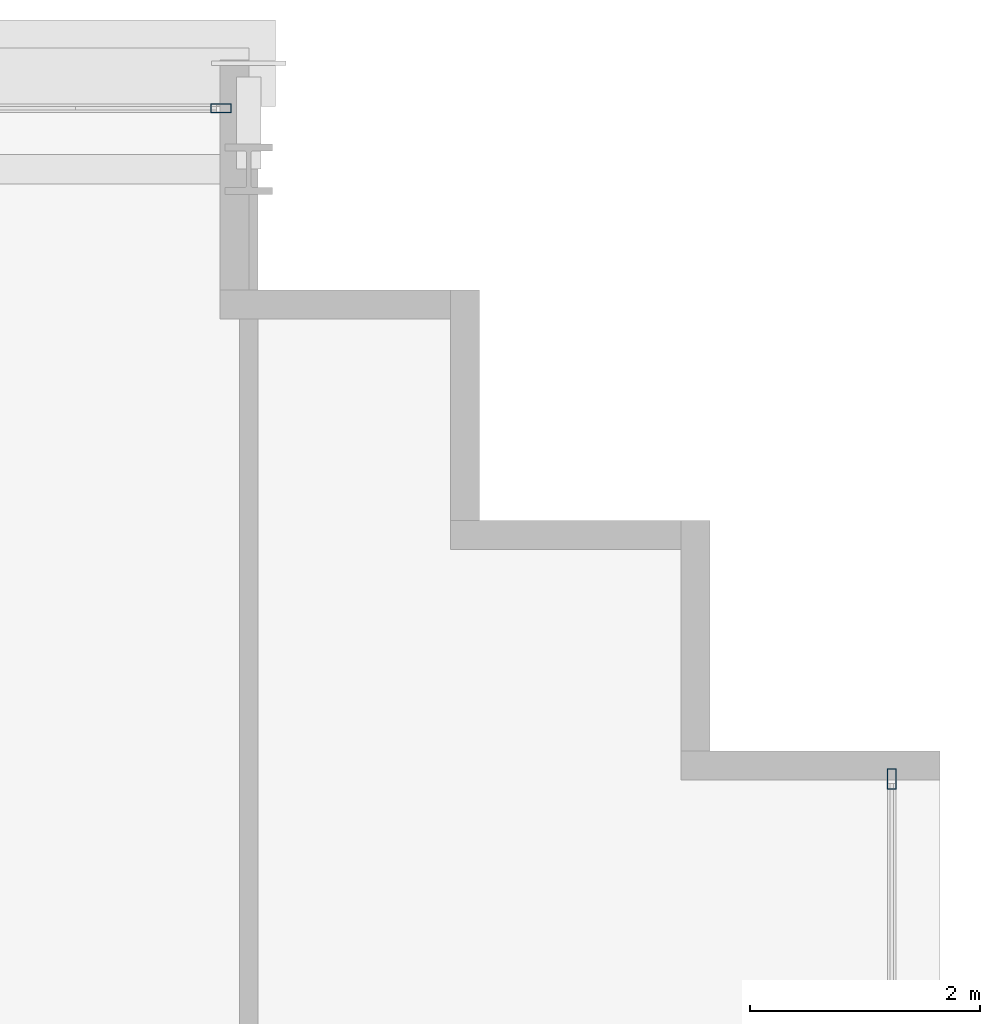
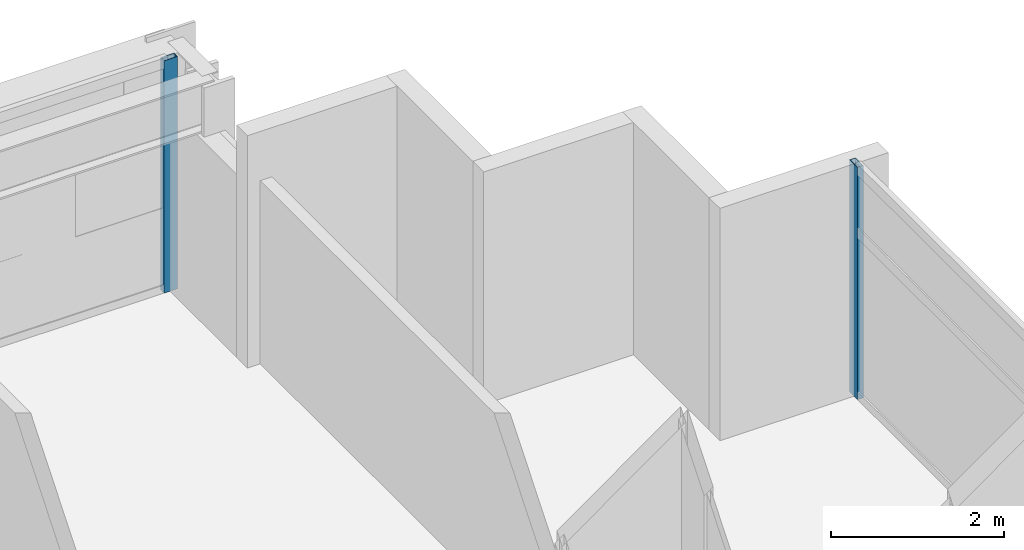
# One storey, part 22 of 36: 2 members, 2 elements without a shape of their own.
"""IFC4 building model written with IfcOpenShell, lengths in metres."""

from ifc_helpers import new_model, si_unit, direction, frame, origin, origin_2d, place, context, subcontext, project, spatial, hollow_rectangle, extrude, source, transform, mapped, material, layer, layer_set, material_profile, profile_set, type_object, element, aggregate, save


model = new_model("IFC4")

# Units and contexts
model_context = context("Model", 3, precision=1e-05, world=origin(), true_north=direction((0.0, 1.0)))
body_context = subcontext(model_context, "Body", "Model", "MODEL_VIEW")
ifc_project = project(units=[si_unit("LENGTHUNIT", "METRE"), si_unit("AREAUNIT", "SQUARE_METRE"), si_unit("VOLUMEUNIT", "CUBIC_METRE"), si_unit("PLANEANGLEUNIT", "RADIAN"), si_unit("MASSUNIT", "GRAM", prefix="KILO")], contexts=[model_context])

# Site, building, storey
site_placement = place(None, origin())
site = spatial("IfcSite", under=ifc_project, at=site_placement, CompositionType="ELEMENT")
building_placement = place(site_placement, origin())
building = spatial("IfcBuilding", under=site, at=building_placement, Name="Ocotamira Hotel", CompositionType="ELEMENT")
storey_placement = place(building_placement, frame((0.0, 0.0, 147.60009765625)))
storey = spatial("IfcBuildingStorey", under=building, at=storey_placement, Name="L37", CompositionType="ELEMENT", Elevation=147.60009765625)

# Curtain wall, member
ifc_material_1 = material(Name="Anodised pale-metal aluminium and solar glass", Category="aluminium")
ifc_layer = layer(ifc_material_1, 0.179931640625)
ifc_layer_set = layer_set([ifc_layer], Name="Anodised pale-metal aluminium and solar glass")
curtain_wall_type = type_object("IfcCurtainWallType", Name="CW-SYS3-Z2", PredefinedType="NOTDEFINED", material=ifc_layer_set)
curtain_wall_1_placement = place(storey_placement, origin())
curtain_wall_1 = element("IfcCurtainWall", 1, at=curtain_wall_1_placement, inside=storey, type_object=curtain_wall_type, Name="L37 Curtain Wall CW-3 CW-L37-N", PredefinedType="NOTDEFINED")
ifc_material_2 = material(Name="Anodised pale-metal aluminium 6063-T6", Category="aluminium")
ifc_material_profile = material_profile(ifc_material_2, hollow_rectangle(XDim=0.080078125, YDim=0.179931640625, WallThickness=0.006103515625, at=origin_2d()), Name="HSS180X80X6")
ifc_profile_set = profile_set([ifc_material_profile], Name="Anodised pale-metal aluminium 6063-T6")
member_type = type_object("IfcMemberType", Name="CWM-180X75", PredefinedType="MULLION", material=ifc_profile_set)
shared_shape = source(origin(), body_context, "Body", "SweptSolid", [
    extrude(hollow_rectangle(XDim=0.080078125, YDim=0.179931640625, WallThickness=0.006103515625, at=origin_2d()), origin(), (0.0, 0.0, 1.0), 3.27978515625),
])
member_1_placement = place(storey_placement, frame((49.760009765625, 49.580078125, 0.0), z_axis=(0.0, 0.0, 1.0), x_axis=(0.0, 1.0, 0.0)))
member_1 = element("IfcMember", 2, at=member_1_placement, type_object=member_type, Name="CW-3 mullion 10", PredefinedType="MULLION", context=body_context, shape_type="MappedRepresentation", body=[
    mapped(shared_shape, transform((0.0, 0.0, 0.0), scale=1.0)),
])
aggregate(curtain_wall_1, [member_1])

curtain_wall_2_placement = place(storey_placement, origin())
curtain_wall_2 = element("IfcCurtainWall", 3, at=curtain_wall_2_placement, inside=storey, type_object=curtain_wall_type, Name="L37 Curtain Wall CW-3 CW-L37-E", PredefinedType="NOTDEFINED")
member_2_placement = place(storey_placement, frame((55.580078125, 43.760009765625, 0.0), z_axis=(0.0, 0.0, 1.0), x_axis=(-1.0, 0.0, 0.0)))
member_2 = element("IfcMember", 4, at=member_2_placement, type_object=member_type, Name="CW-3 mullion 8", PredefinedType="MULLION", context=body_context, shape_type="MappedRepresentation", body=[
    mapped(shared_shape, transform((0.0, 0.0, 0.0), scale=1.0)),
])
aggregate(curtain_wall_2, [member_2])

save(model, "model.ifc")
